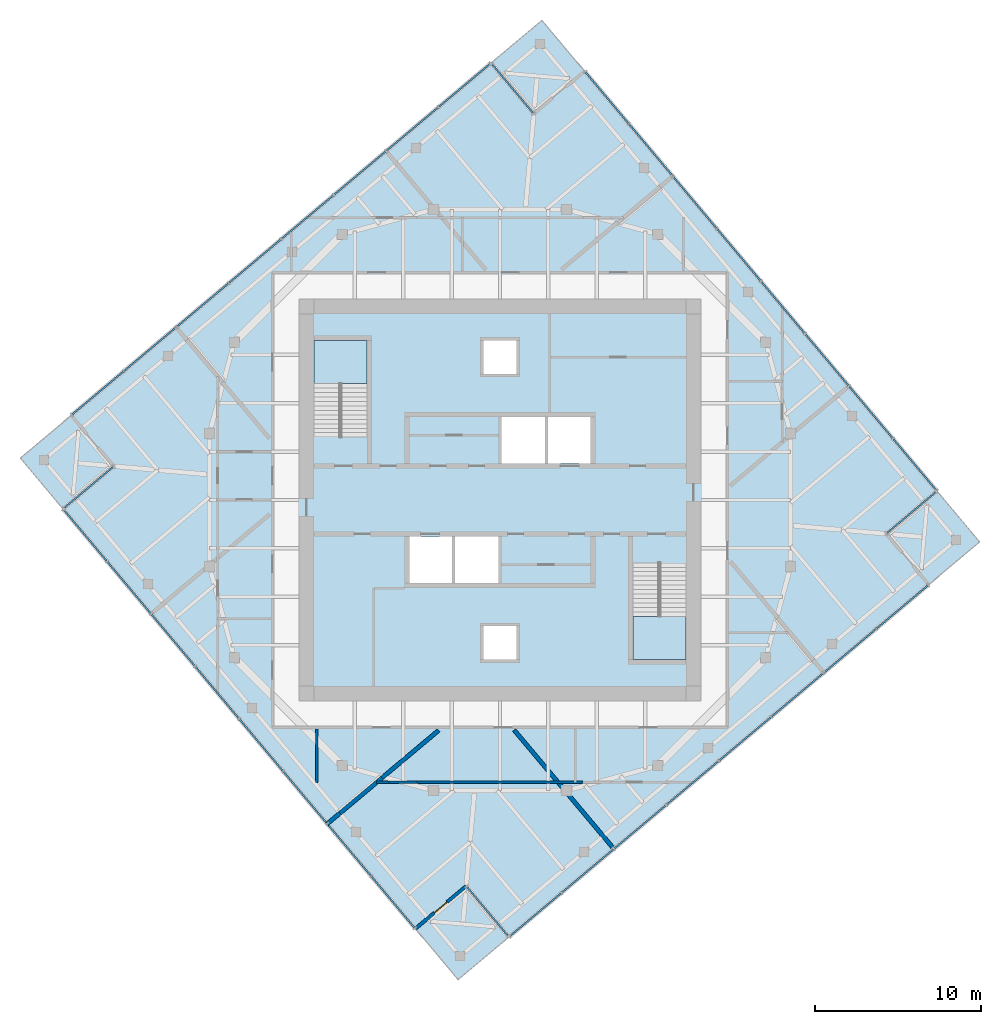
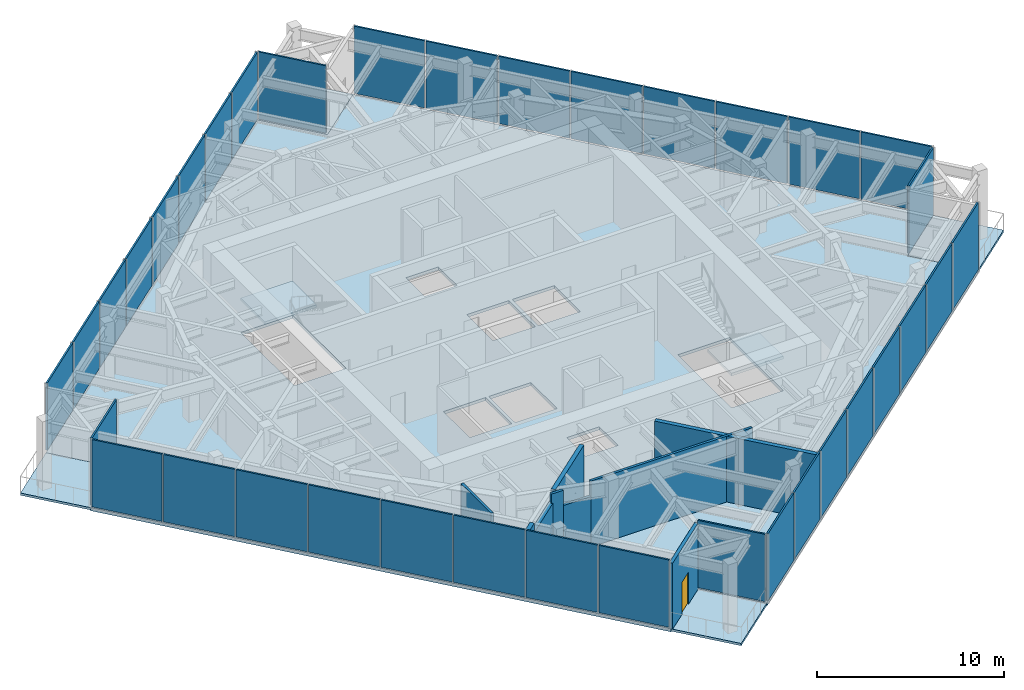
# One storey, part 7 of 11: 36 plates, 9 walls, 7 slabs, 1 door, 1 opening, 10 elements without a shape of their own.
"""IFC4 building model written with IfcOpenShell, lengths in metres."""

from ifc_helpers import new_model, si_unit, direction, frame, frame_2d, origin, origin_2d, place, context, subcontext, project, spatial, polyline, rectangle, outline, extrude, material, layer, layer_set, type_object, element, fill, aggregate, save


model = new_model("IFC4")

# Units and contexts
model_context = context("Model", 3, precision=1e-05, world=origin(), true_north=direction((0.0, 1.0)))
body_context = subcontext(model_context, "Body", "Model", "MODEL_VIEW")
ifc_project = project(units=[si_unit("LENGTHUNIT", "METRE"), si_unit("AREAUNIT", "SQUARE_METRE"), si_unit("VOLUMEUNIT", "CUBIC_METRE"), si_unit("PLANEANGLEUNIT", "RADIAN"), si_unit("MASSUNIT", "GRAM", prefix="KILO")], contexts=[model_context])

# Site, building, storey
site_placement = place(None, origin())
site = spatial("IfcSite", under=ifc_project, at=site_placement, CompositionType="ELEMENT")
building_placement = place(site_placement, origin())
building = spatial("IfcBuilding", under=site, at=building_placement, Name="Torsade Residences", CompositionType="ELEMENT")
storey_placement = place(building_placement, frame((0.0, 0.0, 299.800048828125)))
storey = spatial("IfcBuildingStorey", under=building, at=storey_placement, Name="L83", CompositionType="ELEMENT", Elevation=299.800048828125)

# Curtain wall, plates
ifc_material_1 = material(Name="Aluminium and glass", Category="aluminium")
curtain_wall_type = type_object("IfcCurtainWallType", Name="PLANT LEVEL LOUVRED CURTAIN WALL", PredefinedType="NOTDEFINED", material=ifc_material_1)
curtain_wall_1_placement = place(storey_placement, origin())
curtain_wall_1 = element("IfcCurtainWall", 1, at=curtain_wall_1_placement, inside=storey, type_object=curtain_wall_type, Name="Curtain wall L83 face 1", PredefinedType="NOTDEFINED")
ifc_material_2 = material(Name="Aluminium louvre", Category="aluminium")
ifc_layer_1 = layer(ifc_material_2, 0.10009765625)
ifc_layer_set_1 = layer_set([ifc_layer_1], Name="Aluminium louvre")
plate_type = type_object("IfcPlateType", Name="ALUMINIUM LOUVRE PANEL", PredefinedType="CURTAIN_PANEL", material=ifc_layer_set_1)
plate_1_placement = place(storey_placement, frame((42.1328125, 5.02880859375, 0.10986328125), z_axis=(0.0, 0.0, 1.0), x_axis=(0.766044437106, 0.642787616853, 0.0)))
plate_1 = element("IfcPlate", 2, at=plate_1_placement, type_object=plate_type, Name="Panel 1", PredefinedType="CURTAIN_PANEL", context=body_context, shape_type="SweptSolid", body=[
    extrude(rectangle(XDim=4.0048828125, YDim=0.10009765625, at=origin_2d()), origin(), (0.0, 0.0, 1.0), 4.389892578125),
])
plate_2_placement = place(storey_placement, frame((45.27734375, 7.667236328125, 0.10986328125), z_axis=(0.0, 0.0, 1.0), x_axis=(0.766044437106, 0.642787616853, 0.0)))
plate_2 = element("IfcPlate", 3, at=plate_2_placement, type_object=plate_type, Name="Panel 2", PredefinedType="CURTAIN_PANEL", context=body_context, shape_type="SweptSolid", body=[
    extrude(rectangle(XDim=4.044921875, YDim=0.10009765625, at=origin_2d()), origin(), (0.0, 0.0, 1.0), 4.389892578125),
])
plate_3_placement = place(storey_placement, frame((48.437255859375, 10.31884765625, 0.10986328125), z_axis=(0.0, 0.0, 1.0), x_axis=(0.766044437106, 0.642787616853, 0.0)))
plate_3 = element("IfcPlate", 4, at=plate_3_placement, type_object=plate_type, Name="Panel 3", PredefinedType="CURTAIN_PANEL", context=body_context, shape_type="SweptSolid", body=[
    extrude(rectangle(XDim=4.044921875, YDim=0.10009765625, at=origin_2d()), origin(), (0.0, 0.0, 1.0), 4.389892578125),
])
plate_4_placement = place(storey_placement, frame((51.59716796875, 12.970458984375, 0.10986328125), z_axis=(0.0, 0.0, 1.0), x_axis=(0.766044437106, 0.642787616853, 0.0)))
plate_4 = element("IfcPlate", 5, at=plate_4_placement, type_object=plate_type, Name="Panel 4", PredefinedType="CURTAIN_PANEL", context=body_context, shape_type="SweptSolid", body=[
    extrude(rectangle(XDim=4.044921875, YDim=0.10009765625, at=origin_2d()), origin(), (0.0, 0.0, 1.0), 4.389892578125),
])
plate_5_placement = place(storey_placement, frame((54.757080078125, 15.621826171875, 0.10986328125), z_axis=(0.0, 0.0, 1.0), x_axis=(0.766044437106, 0.642787616853, 0.0)))
plate_5 = element("IfcPlate", 6, at=plate_5_placement, type_object=plate_type, Name="Panel 5", PredefinedType="CURTAIN_PANEL", context=body_context, shape_type="SweptSolid", body=[
    extrude(rectangle(XDim=4.044921875, YDim=0.10009765625, at=origin_2d()), origin(), (0.0, 0.0, 1.0), 4.389892578125),
])
plate_6_placement = place(storey_placement, frame((57.9169921875, 18.2734375, 0.10986328125), z_axis=(0.0, 0.0, 1.0), x_axis=(0.766044437106, 0.642787616853, 0.0)))
plate_6 = element("IfcPlate", 7, at=plate_6_placement, type_object=plate_type, Name="Panel 6", PredefinedType="CURTAIN_PANEL", context=body_context, shape_type="SweptSolid", body=[
    extrude(rectangle(XDim=4.044921875, YDim=0.10009765625, at=origin_2d()), origin(), (0.0, 0.0, 1.0), 4.389892578125),
])
plate_7_placement = place(storey_placement, frame((61.076904296875, 20.9248046875, 0.10986328125), z_axis=(0.0, 0.0, 1.0), x_axis=(0.766044437106, 0.642787616853, 0.0)))
plate_7 = element("IfcPlate", 8, at=plate_7_placement, type_object=plate_type, Name="Panel 7", PredefinedType="CURTAIN_PANEL", context=body_context, shape_type="SweptSolid", body=[
    extrude(rectangle(XDim=4.044921875, YDim=0.10009765625, at=origin_2d()), origin(), (0.0, 0.0, 1.0), 4.389892578125),
])
plate_8_placement = place(storey_placement, frame((64.2216796875, 23.5634765625, 0.10986328125), z_axis=(0.0, 0.0, 1.0), x_axis=(0.766044437106, 0.642787616853, 0.0)))
plate_8 = element("IfcPlate", 9, at=plate_8_placement, type_object=plate_type, Name="Panel 8", PredefinedType="CURTAIN_PANEL", context=body_context, shape_type="SweptSolid", body=[
    extrude(rectangle(XDim=4.0048828125, YDim=0.10009765625, at=origin_2d()), origin(), (0.0, 0.0, 1.0), 4.389892578125),
])
aggregate(curtain_wall_1, [plate_1, plate_2, plate_3, plate_4, plate_5, plate_6, plate_7, plate_8])

# Curtain wall, plate
curtain_wall_2_placement = place(storey_placement, origin())
curtain_wall_2 = element("IfcCurtainWall", 10, at=curtain_wall_2_placement, inside=storey, type_object=curtain_wall_type, Name="Curtain wall L83 face 3", PredefinedType="NOTDEFINED")
plate_9_placement = place(storey_placement, frame((64.77783203125, 29.251953125, 0.10986328125), z_axis=(0.0, 0.0, 1.0), x_axis=(0.766044397526, 0.642787664022, 0.0)))
plate_9 = element("IfcPlate", 11, at=plate_9_placement, type_object=plate_type, Name="Panel 1", PredefinedType="CURTAIN_PANEL", context=body_context, shape_type="SweptSolid", body=[
    extrude(rectangle(XDim=3.840087890625, YDim=0.10009765625, at=origin_2d()), origin(), (0.0, 0.0, 1.0), 4.389892578125),
])
aggregate(curtain_wall_2, [plate_9])

# Curtain wall, plates
curtain_wall_3_placement = place(storey_placement, origin())
curtain_wall_3 = element("IfcCurtainWall", 12, at=curtain_wall_3_placement, inside=storey, type_object=curtain_wall_type, Name="Curtain wall L83 face 4", PredefinedType="NOTDEFINED")
plate_10_placement = place(storey_placement, frame((64.97119140625, 32.1328125, 0.10986328125), z_axis=(0.0, 0.0, 1.0), x_axis=(-0.642787616853, 0.766044437106, 0.0)))
plate_10 = element("IfcPlate", 13, at=plate_10_placement, type_object=plate_type, Name="Panel 1", PredefinedType="CURTAIN_PANEL", context=body_context, shape_type="SweptSolid", body=[
    extrude(rectangle(XDim=4.0048828125, YDim=0.10009765625, at=origin_2d()), origin(), (0.0, 0.0, 1.0), 4.389892578125),
])
plate_11_placement = place(storey_placement, frame((62.332763671875, 35.27734375, 0.10986328125), z_axis=(0.0, 0.0, 1.0), x_axis=(-0.642787616853, 0.766044437106, 0.0)))
plate_11 = element("IfcPlate", 14, at=plate_11_placement, type_object=plate_type, Name="Panel 2", PredefinedType="CURTAIN_PANEL", context=body_context, shape_type="SweptSolid", body=[
    extrude(rectangle(XDim=4.044921875, YDim=0.10009765625, at=origin_2d()), origin(), (0.0, 0.0, 1.0), 4.389892578125),
])
plate_12_placement = place(storey_placement, frame((59.68115234375, 38.437255859375, 0.10986328125), z_axis=(0.0, 0.0, 1.0), x_axis=(-0.642787616853, 0.766044437106, 0.0)))
plate_12 = element("IfcPlate", 15, at=plate_12_placement, type_object=plate_type, Name="Panel 3", PredefinedType="CURTAIN_PANEL", context=body_context, shape_type="SweptSolid", body=[
    extrude(rectangle(XDim=4.044921875, YDim=0.10009765625, at=origin_2d()), origin(), (0.0, 0.0, 1.0), 4.389892578125),
])
plate_13_placement = place(storey_placement, frame((57.029541015625, 41.59716796875, 0.10986328125), z_axis=(0.0, 0.0, 1.0), x_axis=(-0.642787616853, 0.766044437106, 0.0)))
plate_13 = element("IfcPlate", 16, at=plate_13_placement, type_object=plate_type, Name="Panel 4", PredefinedType="CURTAIN_PANEL", context=body_context, shape_type="SweptSolid", body=[
    extrude(rectangle(XDim=4.044921875, YDim=0.10009765625, at=origin_2d()), origin(), (0.0, 0.0, 1.0), 4.389892578125),
])
plate_14_placement = place(storey_placement, frame((54.378173828125, 44.757080078125, 0.10986328125), z_axis=(0.0, 0.0, 1.0), x_axis=(-0.642787616853, 0.766044437106, 0.0)))
plate_14 = element("IfcPlate", 17, at=plate_14_placement, type_object=plate_type, Name="Panel 5", PredefinedType="CURTAIN_PANEL", context=body_context, shape_type="SweptSolid", body=[
    extrude(rectangle(XDim=4.044921875, YDim=0.10009765625, at=origin_2d()), origin(), (0.0, 0.0, 1.0), 4.389892578125),
])
plate_15_placement = place(storey_placement, frame((51.7265625, 47.9169921875, 0.10986328125), z_axis=(0.0, 0.0, 1.0), x_axis=(-0.642787616853, 0.766044437106, 0.0)))
plate_15 = element("IfcPlate", 18, at=plate_15_placement, type_object=plate_type, Name="Panel 6", PredefinedType="CURTAIN_PANEL", context=body_context, shape_type="SweptSolid", body=[
    extrude(rectangle(XDim=4.044921875, YDim=0.10009765625, at=origin_2d()), origin(), (0.0, 0.0, 1.0), 4.389892578125),
])
plate_16_placement = place(storey_placement, frame((49.0751953125, 51.076904296875, 0.10986328125), z_axis=(0.0, 0.0, 1.0), x_axis=(-0.642787616853, 0.766044437106, 0.0)))
plate_16 = element("IfcPlate", 19, at=plate_16_placement, type_object=plate_type, Name="Panel 7", PredefinedType="CURTAIN_PANEL", context=body_context, shape_type="SweptSolid", body=[
    extrude(rectangle(XDim=4.044921875, YDim=0.10009765625, at=origin_2d()), origin(), (0.0, 0.0, 1.0), 4.389892578125),
])
plate_17_placement = place(storey_placement, frame((46.4365234375, 54.2216796875, 0.10986328125), z_axis=(0.0, 0.0, 1.0), x_axis=(-0.642787616853, 0.766044437106, 0.0)))
plate_17 = element("IfcPlate", 20, at=plate_17_placement, type_object=plate_type, Name="Panel 8", PredefinedType="CURTAIN_PANEL", context=body_context, shape_type="SweptSolid", body=[
    extrude(rectangle(XDim=4.0048828125, YDim=0.10009765625, at=origin_2d()), origin(), (0.0, 0.0, 1.0), 4.389892578125),
])
aggregate(curtain_wall_3, [plate_10, plate_11, plate_12, plate_13, plate_14, plate_15, plate_16, plate_17])

# Curtain wall, plate
curtain_wall_4_placement = place(storey_placement, origin())
curtain_wall_4 = element("IfcCurtainWall", 21, at=curtain_wall_4_placement, inside=storey, type_object=curtain_wall_type, Name="Curtain wall L83 face 6", PredefinedType="NOTDEFINED")
plate_18_placement = place(storey_placement, frame((40.748046875, 54.77783203125, 0.10986328125), z_axis=(0.0, 0.0, 1.0), x_axis=(-0.642787664022, 0.766044397526, 0.0)))
plate_18 = element("IfcPlate", 22, at=plate_18_placement, type_object=plate_type, Name="Panel 1", PredefinedType="CURTAIN_PANEL", context=body_context, shape_type="SweptSolid", body=[
    extrude(rectangle(XDim=3.840087890625, YDim=0.10009765625, at=origin_2d()), origin(), (0.0, 0.0, 1.0), 4.389892578125),
])
aggregate(curtain_wall_4, [plate_18])

# Curtain wall, plates
curtain_wall_5_placement = place(storey_placement, origin())
curtain_wall_5 = element("IfcCurtainWall", 23, at=curtain_wall_5_placement, inside=storey, type_object=curtain_wall_type, Name="Curtain wall L83 face 7", PredefinedType="NOTDEFINED")
plate_19_placement = place(storey_placement, frame((37.8671875, 54.97119140625, 0.10986328125), z_axis=(0.0, 0.0, 1.0), x_axis=(-0.766044437106, -0.642787616853, 0.0)))
plate_19 = element("IfcPlate", 24, at=plate_19_placement, type_object=plate_type, Name="Panel 1", PredefinedType="CURTAIN_PANEL", context=body_context, shape_type="SweptSolid", body=[
    extrude(rectangle(XDim=4.0048828125, YDim=0.10009765625, at=origin_2d()), origin(), (0.0, 0.0, 1.0), 4.389892578125),
])
plate_20_placement = place(storey_placement, frame((34.72265625, 52.332763671875, 0.10986328125), z_axis=(0.0, 0.0, 1.0), x_axis=(-0.766044437106, -0.642787616853, 0.0)))
plate_20 = element("IfcPlate", 25, at=plate_20_placement, type_object=plate_type, Name="Panel 2", PredefinedType="CURTAIN_PANEL", context=body_context, shape_type="SweptSolid", body=[
    extrude(rectangle(XDim=4.044921875, YDim=0.10009765625, at=origin_2d()), origin(), (0.0, 0.0, 1.0), 4.389892578125),
])
plate_21_placement = place(storey_placement, frame((31.562744140625, 49.68115234375, 0.10986328125), z_axis=(0.0, 0.0, 1.0), x_axis=(-0.766044437106, -0.642787616853, 0.0)))
plate_21 = element("IfcPlate", 26, at=plate_21_placement, type_object=plate_type, Name="Panel 3", PredefinedType="CURTAIN_PANEL", context=body_context, shape_type="SweptSolid", body=[
    extrude(rectangle(XDim=4.044921875, YDim=0.10009765625, at=origin_2d()), origin(), (0.0, 0.0, 1.0), 4.389892578125),
])
plate_22_placement = place(storey_placement, frame((28.40283203125, 47.029541015625, 0.10986328125), z_axis=(0.0, 0.0, 1.0), x_axis=(-0.766044437106, -0.642787616853, 0.0)))
plate_22 = element("IfcPlate", 27, at=plate_22_placement, type_object=plate_type, Name="Panel 4", PredefinedType="CURTAIN_PANEL", context=body_context, shape_type="SweptSolid", body=[
    extrude(rectangle(XDim=4.044921875, YDim=0.10009765625, at=origin_2d()), origin(), (0.0, 0.0, 1.0), 4.389892578125),
])
plate_23_placement = place(storey_placement, frame((25.242919921875, 44.378173828125, 0.10986328125), z_axis=(0.0, 0.0, 1.0), x_axis=(-0.766044437106, -0.642787616853, 0.0)))
plate_23 = element("IfcPlate", 28, at=plate_23_placement, type_object=plate_type, Name="Panel 5", PredefinedType="CURTAIN_PANEL", context=body_context, shape_type="SweptSolid", body=[
    extrude(rectangle(XDim=4.044921875, YDim=0.10009765625, at=origin_2d()), origin(), (0.0, 0.0, 1.0), 4.389892578125),
])
plate_24_placement = place(storey_placement, frame((22.0830078125, 41.7265625, 0.10986328125), z_axis=(0.0, 0.0, 1.0), x_axis=(-0.766044437106, -0.642787616853, 0.0)))
plate_24 = element("IfcPlate", 29, at=plate_24_placement, type_object=plate_type, Name="Panel 6", PredefinedType="CURTAIN_PANEL", context=body_context, shape_type="SweptSolid", body=[
    extrude(rectangle(XDim=4.044921875, YDim=0.10009765625, at=origin_2d()), origin(), (0.0, 0.0, 1.0), 4.389892578125),
])
plate_25_placement = place(storey_placement, frame((18.923095703125, 39.0751953125, 0.10986328125), z_axis=(0.0, 0.0, 1.0), x_axis=(-0.766044437106, -0.642787616853, 0.0)))
plate_25 = element("IfcPlate", 30, at=plate_25_placement, type_object=plate_type, Name="Panel 7", PredefinedType="CURTAIN_PANEL", context=body_context, shape_type="SweptSolid", body=[
    extrude(rectangle(XDim=4.044921875, YDim=0.10009765625, at=origin_2d()), origin(), (0.0, 0.0, 1.0), 4.389892578125),
])
plate_26_placement = place(storey_placement, frame((15.7783203125, 36.4365234375, 0.10986328125), z_axis=(0.0, 0.0, 1.0), x_axis=(-0.766044437106, -0.642787616853, 0.0)))
plate_26 = element("IfcPlate", 31, at=plate_26_placement, type_object=plate_type, Name="Panel 8", PredefinedType="CURTAIN_PANEL", context=body_context, shape_type="SweptSolid", body=[
    extrude(rectangle(XDim=4.0048828125, YDim=0.10009765625, at=origin_2d()), origin(), (0.0, 0.0, 1.0), 4.389892578125),
])
aggregate(curtain_wall_5, [plate_19, plate_20, plate_21, plate_22, plate_23, plate_24, plate_25, plate_26])

# Curtain wall, plate
curtain_wall_6_placement = place(storey_placement, origin())
curtain_wall_6 = element("IfcCurtainWall", 32, at=curtain_wall_6_placement, inside=storey, type_object=curtain_wall_type, Name="Curtain wall L83 face 9", PredefinedType="NOTDEFINED")
plate_27_placement = place(storey_placement, frame((15.22216796875, 30.748046875, 0.10986328125), z_axis=(0.0, 0.0, 1.0), x_axis=(-0.766044397526, -0.642787664022, 0.0)))
plate_27 = element("IfcPlate", 33, at=plate_27_placement, type_object=plate_type, Name="Panel 1", PredefinedType="CURTAIN_PANEL", context=body_context, shape_type="SweptSolid", body=[
    extrude(rectangle(XDim=3.840087890625, YDim=0.10009765625, at=origin_2d()), origin(), (0.0, 0.0, 1.0), 4.389892578125),
])
aggregate(curtain_wall_6, [plate_27])

# Curtain wall, plates
curtain_wall_7_placement = place(storey_placement, origin())
curtain_wall_7 = element("IfcCurtainWall", 34, at=curtain_wall_7_placement, inside=storey, type_object=curtain_wall_type, Name="Curtain wall L83 face 10", PredefinedType="NOTDEFINED")
plate_28_placement = place(storey_placement, frame((15.02880859375, 27.8671875, 0.10986328125), z_axis=(0.0, 0.0, 1.0), x_axis=(0.642787616853, -0.766044437106, 0.0)))
plate_28 = element("IfcPlate", 35, at=plate_28_placement, type_object=plate_type, Name="Panel 1", PredefinedType="CURTAIN_PANEL", context=body_context, shape_type="SweptSolid", body=[
    extrude(rectangle(XDim=4.0048828125, YDim=0.10009765625, at=origin_2d()), origin(), (0.0, 0.0, 1.0), 4.389892578125),
])
plate_29_placement = place(storey_placement, frame((17.667236328125, 24.72265625, 0.10986328125), z_axis=(0.0, 0.0, 1.0), x_axis=(0.642787616853, -0.766044437106, 0.0)))
plate_29 = element("IfcPlate", 36, at=plate_29_placement, type_object=plate_type, Name="Panel 2", PredefinedType="CURTAIN_PANEL", context=body_context, shape_type="SweptSolid", body=[
    extrude(rectangle(XDim=4.044921875, YDim=0.10009765625, at=origin_2d()), origin(), (0.0, 0.0, 1.0), 4.389892578125),
])
plate_30_placement = place(storey_placement, frame((20.31884765625, 21.562744140625, 0.10986328125), z_axis=(0.0, 0.0, 1.0), x_axis=(0.642787616853, -0.766044437106, 0.0)))
plate_30 = element("IfcPlate", 37, at=plate_30_placement, type_object=plate_type, Name="Panel 3", PredefinedType="CURTAIN_PANEL", context=body_context, shape_type="SweptSolid", body=[
    extrude(rectangle(XDim=4.044921875, YDim=0.10009765625, at=origin_2d()), origin(), (0.0, 0.0, 1.0), 4.389892578125),
])
plate_31_placement = place(storey_placement, frame((22.970458984375, 18.40283203125, 0.10986328125), z_axis=(0.0, 0.0, 1.0), x_axis=(0.642787616853, -0.766044437106, 0.0)))
plate_31 = element("IfcPlate", 38, at=plate_31_placement, type_object=plate_type, Name="Panel 4", PredefinedType="CURTAIN_PANEL", context=body_context, shape_type="SweptSolid", body=[
    extrude(rectangle(XDim=4.044921875, YDim=0.10009765625, at=origin_2d()), origin(), (0.0, 0.0, 1.0), 4.389892578125),
])
plate_32_placement = place(storey_placement, frame((25.621826171875, 15.242919921875, 0.10986328125), z_axis=(0.0, 0.0, 1.0), x_axis=(0.642787616853, -0.766044437106, 0.0)))
plate_32 = element("IfcPlate", 39, at=plate_32_placement, type_object=plate_type, Name="Panel 5", PredefinedType="CURTAIN_PANEL", context=body_context, shape_type="SweptSolid", body=[
    extrude(rectangle(XDim=4.044921875, YDim=0.10009765625, at=origin_2d()), origin(), (0.0, 0.0, 1.0), 4.389892578125),
])
plate_33_placement = place(storey_placement, frame((28.2734375, 12.0830078125, 0.10986328125), z_axis=(0.0, 0.0, 1.0), x_axis=(0.642787616853, -0.766044437106, 0.0)))
plate_33 = element("IfcPlate", 40, at=plate_33_placement, type_object=plate_type, Name="Panel 6", PredefinedType="CURTAIN_PANEL", context=body_context, shape_type="SweptSolid", body=[
    extrude(rectangle(XDim=4.044921875, YDim=0.10009765625, at=origin_2d()), origin(), (0.0, 0.0, 1.0), 4.389892578125),
])
plate_34_placement = place(storey_placement, frame((30.9248046875, 8.923095703125, 0.10986328125), z_axis=(0.0, 0.0, 1.0), x_axis=(0.642787616853, -0.766044437106, 0.0)))
plate_34 = element("IfcPlate", 41, at=plate_34_placement, type_object=plate_type, Name="Panel 7", PredefinedType="CURTAIN_PANEL", context=body_context, shape_type="SweptSolid", body=[
    extrude(rectangle(XDim=4.044921875, YDim=0.10009765625, at=origin_2d()), origin(), (0.0, 0.0, 1.0), 4.389892578125),
])
plate_35_placement = place(storey_placement, frame((33.5634765625, 5.7783203125, 0.10986328125), z_axis=(0.0, 0.0, 1.0), x_axis=(0.642787616853, -0.766044437106, 0.0)))
plate_35 = element("IfcPlate", 42, at=plate_35_placement, type_object=plate_type, Name="Panel 8", PredefinedType="CURTAIN_PANEL", context=body_context, shape_type="SweptSolid", body=[
    extrude(rectangle(XDim=4.0048828125, YDim=0.10009765625, at=origin_2d()), origin(), (0.0, 0.0, 1.0), 4.389892578125),
])
aggregate(curtain_wall_7, [plate_28, plate_29, plate_30, plate_31, plate_32, plate_33, plate_34, plate_35])

# Curtain wall, plate
curtain_wall_8_placement = place(storey_placement, origin())
curtain_wall_8 = element("IfcCurtainWall", 43, at=curtain_wall_8_placement, inside=storey, type_object=curtain_wall_type, Name="Curtain wall L83 face 12", PredefinedType="NOTDEFINED")
plate_36_placement = place(storey_placement, frame((39.251953125, 5.22216796875, 0.10986328125), z_axis=(0.0, 0.0, 1.0), x_axis=(0.642787664022, -0.766044397526, 0.0)))
plate_36 = element("IfcPlate", 44, at=plate_36_placement, type_object=plate_type, Name="Panel 1", PredefinedType="CURTAIN_PANEL", context=body_context, shape_type="SweptSolid", body=[
    extrude(rectangle(XDim=3.840087890625, YDim=0.10009765625, at=origin_2d()), origin(), (0.0, 0.0, 1.0), 4.389892578125),
])
aggregate(curtain_wall_8, [plate_36])

# Slab
ifc_material_3 = material(Name="Concrete 40 MPa", Category="concrete")
ifc_layer_2 = layer(ifc_material_3, 0.199951171875)
ifc_layer_set_2 = layer_set([ifc_layer_2], Name="Concrete 40 MPa")
slab_type_1 = type_object("IfcSlabType", Name="PLANT FLOOR SLAB 200", PredefinedType="FLOOR", material=ifc_layer_set_2)
slab_1_placement = place(storey_placement, frame((0.0, 0.0, -0.199951171875)))
element("IfcSlab", 45, at=slab_1_placement, inside=storey, type_object=slab_type_1, Name="Floor slab L83", PredefinedType="FLOOR", context=body_context, shape_type="SweptSolid", body=[
    extrude(outline(polyline([(40.537353515625, 3.690185546875), (65.81689453125, 24.902099609375), (63.245849609375, 27.96630859375), (66.309814453125, 30.537353515625), (45.097900390625, 55.81689453125), (42.03369140625, 53.245849609375), (39.462646484375, 56.309814453125), (14.18310546875, 35.097900390625), (16.754150390625, 32.03369140625), (13.690185546875, 29.462646484375), (34.902099609375, 4.18310546875), (37.96630859375, 6.754150390625), (40.537353515625, 3.690185546875)]), holes=[polyline([(51.199951171875, 26.1201171875), (48.0, 26.1201171875), (48.0, 20.39990234375), (51.199951171875, 20.39990234375), (51.199951171875, 26.1201171875)]), polyline([(45.5, 35.0), (42.89990234375, 35.0), (42.89990234375, 32.199951171875), (45.5, 32.199951171875), (45.5, 35.0)]), polyline([(42.699951171875, 35.0), (40.10009765625, 35.0), (40.10009765625, 32.199951171875), (42.699951171875, 32.199951171875), (42.699951171875, 35.0)]), polyline([(41.0, 22.39990234375), (39.0, 22.39990234375), (39.0, 20.39990234375), (41.0, 20.39990234375), (41.0, 22.39990234375)]), polyline([(41.0, 39.60009765625), (39.0, 39.60009765625), (39.0, 37.60009765625), (41.0, 37.60009765625), (41.0, 39.60009765625)]), polyline([(39.89990234375, 27.800048828125), (37.300048828125, 27.800048828125), (37.300048828125, 25.0), (39.89990234375, 25.0), (39.89990234375, 27.800048828125)]), polyline([(37.10009765625, 27.800048828125), (34.5, 27.800048828125), (34.5, 25.0), (37.10009765625, 25.0), (37.10009765625, 27.800048828125)]), polyline([(32.0, 39.60009765625), (28.800048828125, 39.60009765625), (28.800048828125, 33.8798828125), (32.0, 33.8798828125), (32.0, 39.60009765625)])]), origin(), (0.0, 0.0, 1.0), 0.199951171875),
])

# Stair, slab
ifc_material_4 = material(Name="Precast concrete 40 MPa", Category="concrete")
stair_type = type_object("IfcStairType", Name="HALF-TURN FIRE STAIR 1500x4500", PredefinedType="HALF_TURN_STAIR", material=ifc_material_4)
stair_1_placement = place(storey_placement, origin())
stair_1 = element("IfcStair", 46, at=stair_1_placement, inside=storey, type_object=stair_type, Name="Stair ST1 L83", PredefinedType="HALF_TURN_STAIR")
ifc_material_5 = material(Name="Precast concrete 40 MPa", Category="concrete")
ifc_layer_3 = layer(ifc_material_5, 0.179931640625)
ifc_layer_set_3 = layer_set([ifc_layer_3], Name="Precast concrete 40 MPa")
slab_type_2 = type_object("IfcSlabType", Name="PRECAST STAIR LANDING 180", PredefinedType="LANDING", material=ifc_layer_set_3)
slab_2_placement = place(storey_placement, frame((0.0, 0.0, 2.070068359375)))
slab_2 = element("IfcSlab", 47, at=slab_2_placement, type_object=slab_type_2, Name="ST1 landing 1", PredefinedType="LANDING", context=body_context, shape_type="SweptSolid", body=[
    extrude(outline(polyline([(28.800048828125, 37.02001953125), (32.0, 37.02001953125), (32.0, 39.60009765625), (28.800048828125, 39.60009765625), (28.800048828125, 37.02001953125)])), origin(), (0.0, 0.0, 1.0), 0.179931640625),
])
aggregate(stair_1, [slab_2])

stair_2_placement = place(storey_placement, origin())
stair_2 = element("IfcStair", 48, at=stair_2_placement, inside=storey, type_object=stair_type, Name="Stair ST2 L83", PredefinedType="HALF_TURN_STAIR")
slab_3_placement = place(storey_placement, frame((0.0, 0.0, 2.070068359375)))
slab_3 = element("IfcSlab", 49, at=slab_3_placement, type_object=slab_type_2, Name="ST2 landing 1", PredefinedType="LANDING", context=body_context, shape_type="SweptSolid", body=[
    extrude(outline(polyline([(48.0, 20.39990234375), (51.199951171875, 20.39990234375), (51.199951171875, 22.97998046875), (48.0, 22.97998046875), (48.0, 20.39990234375)])), origin(), (0.0, 0.0, 1.0), 0.179931640625),
])
aggregate(stair_2, [slab_3])

# Slabs
ifc_material_6 = material(Name="Concrete 40 MPa", Category="concrete")
ifc_layer_4 = layer(ifc_material_6, 0.14990234375)
ifc_layer_set_4 = layer_set([ifc_layer_4], Name="Concrete 40 MPa")
slab_type_3 = type_object("IfcSlabType", Name="TERRACE SLAB 150", PredefinedType="FLOOR", material=ifc_layer_set_4)
slab_4_placement = place(storey_placement, frame((0.0, 0.0, -0.150146484375)))
element("IfcSlab", 50, at=slab_4_placement, inside=storey, type_object=slab_type_3, Name="Corner plant deck slab SE L83", PredefinedType="FLOOR", context=body_context, shape_type="SweptSolid", body=[
    extrude(outline(polyline([(65.81689453125, 24.902099609375), (68.881103515625, 27.47314453125), (66.309814453125, 30.537353515625), (63.245849609375, 27.96630859375), (65.81689453125, 24.902099609375)])), origin(), (0.0, 0.0, 1.0), 0.150146484375),
])
slab_5_placement = place(storey_placement, frame((0.0, 0.0, -0.150146484375)))
element("IfcSlab", 51, at=slab_5_placement, inside=storey, type_object=slab_type_3, Name="Corner plant deck slab NE L83", PredefinedType="FLOOR", context=body_context, shape_type="SweptSolid", body=[
    extrude(outline(polyline([(42.03369140625, 53.245849609375), (45.097900390625, 55.81689453125), (42.52685546875, 58.881103515625), (39.462646484375, 56.309814453125), (42.03369140625, 53.245849609375)])), origin(), (0.0, 0.0, 1.0), 0.150146484375),
])
slab_6_placement = place(storey_placement, frame((0.0, 0.0, -0.150146484375)))
element("IfcSlab", 52, at=slab_6_placement, inside=storey, type_object=slab_type_3, Name="Corner plant deck slab NW L83", PredefinedType="FLOOR", context=body_context, shape_type="SweptSolid", body=[
    extrude(outline(polyline([(13.690185546875, 29.462646484375), (16.754150390625, 32.03369140625), (14.18310546875, 35.097900390625), (11.118896484375, 32.52685546875), (13.690185546875, 29.462646484375)])), origin(), (0.0, 0.0, 1.0), 0.150146484375),
])
slab_7_placement = place(storey_placement, frame((0.0, 0.0, -0.150146484375)))
element("IfcSlab", 53, at=slab_7_placement, inside=storey, type_object=slab_type_3, Name="Corner plant deck slab SW L83", PredefinedType="FLOOR", context=body_context, shape_type="SweptSolid", body=[
    extrude(outline(polyline([(37.47314453125, 1.118896484375), (40.537353515625, 3.690185546875), (37.96630859375, 6.754150390625), (34.902099609375, 4.18310546875), (37.47314453125, 1.118896484375)])), origin(), (0.0, 0.0, 1.0), 0.150146484375),
])

# Walls
ifc_material_7 = material(Name="Masonry-lined stud party wall", Category="masonry")
ifc_layer_5 = layer(ifc_material_7, 0.25)
ifc_layer_set_5 = layer_set([ifc_layer_5], Name="Masonry-lined stud party wall")
wall_type_1 = type_object("IfcWallType", Name="PARTY WALL 250", PredefinedType="PARTITIONING", material=ifc_layer_set_5)
wall_1_placement = place(storey_placement, frame((46.857177734375, 8.9931640625, 0.0), z_axis=(0.0, 0.0, 1.0), x_axis=(-0.64278692291, 0.766045019392, 0.0)))
element("IfcWall", 54, at=wall_1_placement, inside=storey, type_object=wall_type_1, Name="Party wall L83", PredefinedType="PARTITIONING", context=body_context, shape_type="SweptSolid", body=[
    extrude(rectangle(XDim=9.343017578125, YDim=0.25, at=frame_2d((4.67138671875, 0.0))), origin(), (0.0, 0.0, 1.0), 4.300048828125),
])
wall_2_placement = place(storey_placement, frame((29.59912109375, 10.5029296875, 0.0), z_axis=(0.0, 0.0, 1.0), x_axis=(0.766055819685, 0.64277405138, 0.0)))
element("IfcWall", 55, at=wall_2_placement, inside=storey, type_object=wall_type_1, Name="Party wall L83", PredefinedType="PARTITIONING", context=body_context, shape_type="SweptSolid", body=[
    extrude(rectangle(XDim=1.0, YDim=0.25, at=frame_2d((0.5, 0.0))), origin(), (0.0, 0.0, 1.0), 4.300048828125),
])
wall_3_placement = place(storey_placement, frame((30.365234375, 11.145751953125, 0.0), z_axis=(0.0, 0.0, 1.0), x_axis=(0.766014492995, 0.642823301165, 0.0)))
element("IfcWall", 56, at=wall_3_placement, inside=storey, type_object=wall_type_1, Name="Party wall L83", PredefinedType="PARTITIONING", context=body_context, shape_type="SweptSolid", body=[
    extrude(rectangle(XDim=3.3076171875, YDim=0.25, at=frame_2d((1.65380859375, 0.0))), origin(), (0.0, 0.0, 1.0), 3.68798828125),
])
wall_4_placement = place(storey_placement, frame((32.89892578125, 13.27197265625, 0.0), z_axis=(0.0, 0.0, 1.0), x_axis=(0.766051985436, 0.642778620996, 0.0)))
element("IfcWall", 57, at=wall_4_placement, inside=storey, type_object=wall_type_1, Name="Party wall L83", PredefinedType="PARTITIONING", context=body_context, shape_type="SweptSolid", body=[
    extrude(rectangle(XDim=4.4462890625, YDim=0.25, at=frame_2d((2.22314453125, 0.0))), origin(), (0.0, 0.0, 1.0), 4.300048828125),
])

# Wall, opening, door
ifc_material_8 = material(Name="Stone-faced precast concrete 40 MPa panel", Category="masonry")
ifc_layer_6 = layer(ifc_material_8, 0.199951171875)
ifc_layer_set_6 = layer_set([ifc_layer_6], Name="Stone-faced precast concrete 40 MPa panel")
wall_type_2 = type_object("IfcWallType", Name="PLANT ROOM EXTERNAL WALL 200", PredefinedType="SOLIDWALL", material=ifc_layer_set_6)
wall_5_placement = place(storey_placement, frame((34.902099609375, 4.18310546875, 0.0), z_axis=(0.0, 0.0, 1.0), x_axis=(0.766060656284, 0.642768287094, 0.0)))
wall_5 = element("IfcWall", 58, at=wall_5_placement, inside=storey, type_object=wall_type_2, Name="Plant room wall L83 11", PredefinedType="SOLIDWALL", context=body_context, shape_type="SweptSolid", body=[
    extrude(rectangle(XDim=4.0, YDim=0.199951171875, at=frame_2d((2.0, 0.0))), origin(), (0.0, 0.0, 1.0), 4.300048828125),
])
opening_placement = place(wall_5_placement, frame((1.489990234375, 0.0, 0.0)))
opening = element("IfcOpeningElement", 59, at=opening_placement, cuts=wall_5, Name="Opening D11", PredefinedType="OPENING", context=body_context, shape_type="SweptSolid", body=[
    extrude(rectangle(XDim=1.02001953125, YDim=2.10009765625, at=frame_2d((0.510009765625, 1.050048828125))), frame((0.0, 0.10986328125, 0.0), z_axis=(0.0, -1.0, 0.0), x_axis=(1.0, 0.0, 0.0)), (0.0, 0.0, 1.0), 0.219970703125),
])
ifc_material_9 = material(Name="Steel-framed external door", Category="steel")
door_type = type_object("IfcDoorType", Name="MAINTENANCE ROOF DOOR 1020", OperationType="NOTDEFINED", PredefinedType="DOOR", material=ifc_material_9)
door_placement = place(opening_placement, origin())
door = element("IfcDoor", 60, at=door_placement, inside=storey, type_object=door_type, Name="Terrace maintenance door L83 11", OperationType="SINGLE_SWING_LEFT", OverallHeight=2.10009765625, OverallWidth=1.02001953125, PredefinedType="DOOR", context=body_context, shape_type="SweptSolid", body=[
    extrude(rectangle(XDim=1.02001953125, YDim=2.10009765625, at=frame_2d((0.510009765625, 1.050048828125))), frame((0.0, 0.02490234375, 0.0), z_axis=(0.0, -1.0, 0.0), x_axis=(1.0, 0.0, 0.0)), (0.0, 0.0, 1.0), 0.050048828125),
])
fill(opening, door)

# Walls
ifc_material_10 = material(Name="Reinforced blockwork", Category="masonry")
ifc_layer_7 = layer(ifc_material_10, 0.14990234375)
ifc_layer_set_7 = layer_set([ifc_layer_7], Name="Reinforced blockwork")
wall_type_3 = type_object("IfcWallType", Name="SERVICE ROOM WALL 150", PredefinedType="SOLIDWALL", material=ifc_layer_set_7)
wall_6_placement = place(storey_placement, frame((28.9609375, 16.199951171875, 0.0), z_axis=(0.0, 0.0, 1.0), x_axis=(0.0, -1.0, 0.0)))
element("IfcWall", 61, at=wall_6_placement, inside=storey, type_object=wall_type_3, Name="Service room wall L83", PredefinedType="SOLIDWALL", context=body_context, shape_type="SweptSolid", body=[
    extrude(rectangle(XDim=3.199951171875, YDim=0.14990234375, at=frame_2d((1.60009765625, 0.0))), origin(), (0.0, 0.0, 1.0), 4.300048828125),
])
wall_7_placement = place(storey_placement, frame((44.98828125, 13.0, 0.0), z_axis=(0.0, 0.0, 1.0), x_axis=(-1.0, 0.0, 0.0)))
element("IfcWall", 62, at=wall_7_placement, inside=storey, type_object=wall_type_3, Name="Service room wall L83", PredefinedType="SOLIDWALL", context=body_context, shape_type="SweptSolid", body=[
    extrude(rectangle(XDim=9.9765625, YDim=0.14990234375, at=frame_2d((4.98828125, 0.0))), origin(), (0.0, 0.0, 1.0), 4.300048828125),
])
wall_8_placement = place(storey_placement, frame((35.01171875, 13.0, 0.0), z_axis=(0.0, 0.0, 1.0), x_axis=(-1.0, 0.0, 0.0)))
element("IfcWall", 63, at=wall_8_placement, inside=storey, type_object=wall_type_3, Name="Service room wall L83", PredefinedType="SOLIDWALL", context=body_context, shape_type="SweptSolid", body=[
    extrude(rectangle(XDim=1.690185546875, YDim=0.14990234375, at=frame_2d((0.84521484375, 0.0))), origin(), (0.0, 0.0, 1.0), 3.300048828125),
])
wall_9_placement = place(storey_placement, frame((33.321533203125, 13.0, 0.0), z_axis=(0.0, 0.0, 1.0), x_axis=(-1.0, 0.0, 0.0)))
element("IfcWall", 64, at=wall_9_placement, inside=storey, type_object=wall_type_3, Name="Service room wall L83", PredefinedType="SOLIDWALL", context=body_context, shape_type="SweptSolid", body=[
    extrude(rectangle(XDim=0.74658203125, YDim=0.14990234375, at=frame_2d((0.373291015625, 0.0))), origin(), (0.0, 0.0, 1.0), 4.300048828125),
])

save(model, "model.ifc")
